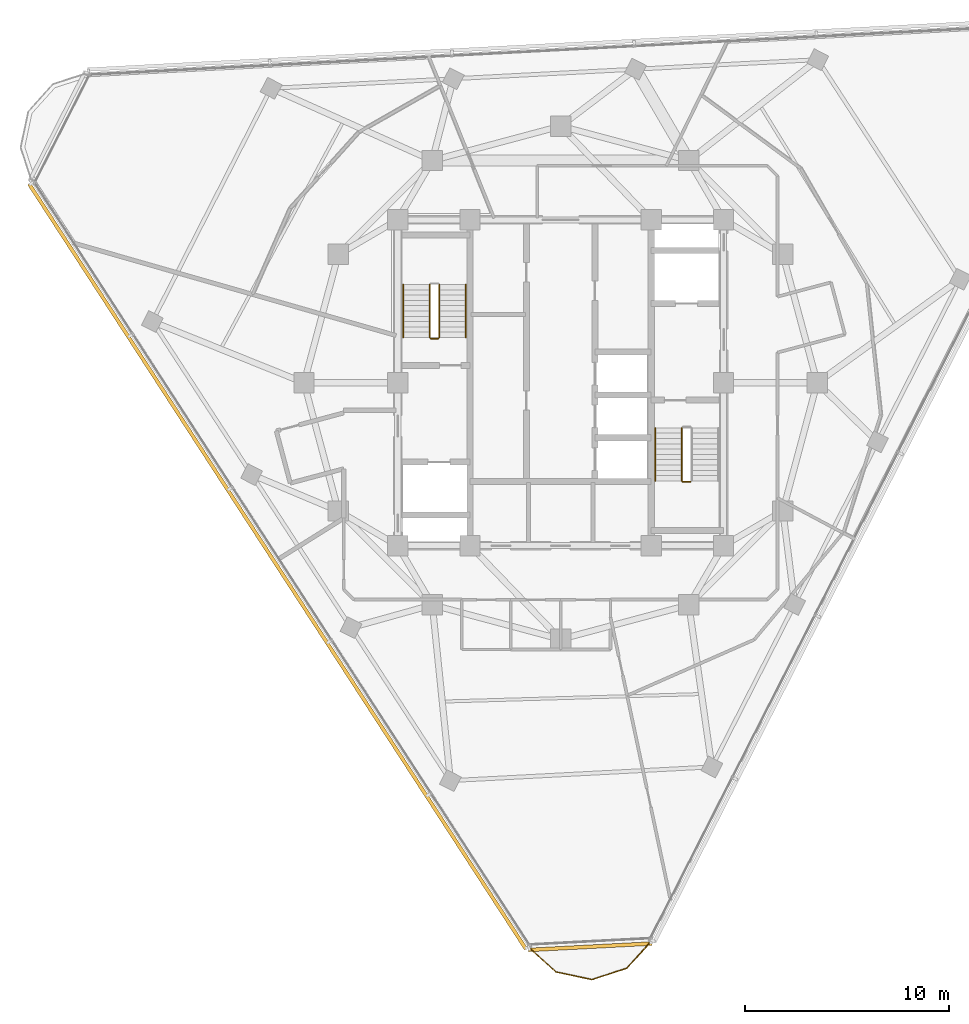
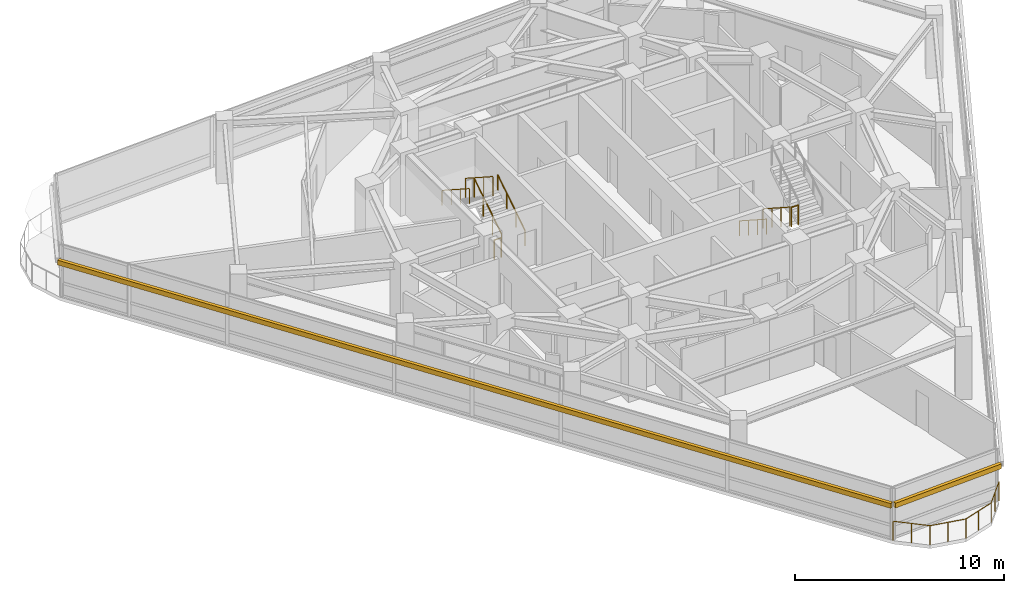
# One storey, part 12 of 15: 9 railings, 2 shading devices.
"""IFC4 building model written with IfcOpenShell, lengths in metres."""

from ifc_helpers import new_model, si_unit, direction, frame, origin, origin_2d, place, context, subcontext, project, spatial, rectangle, circle, extrude, material, layer, layer_set, type_object, element, save


model = new_model("IFC4")

# Units and contexts
model_context = context("Model", 3, precision=1e-05, world=origin(), true_north=direction((0.0, 1.0)))
body_context = subcontext(model_context, "Body", "Model", "MODEL_VIEW")
ifc_project = project(units=[si_unit("LENGTHUNIT", "METRE"), si_unit("AREAUNIT", "SQUARE_METRE"), si_unit("VOLUMEUNIT", "CUBIC_METRE"), si_unit("PLANEANGLEUNIT", "RADIAN"), si_unit("MASSUNIT", "GRAM", prefix="KILO")], contexts=[model_context])

# Site, building, storey
site_placement = place(None, origin())
site = spatial("IfcSite", under=ifc_project, at=site_placement, CompositionType="ELEMENT")
building_placement = place(site_placement, origin())
building = spatial("IfcBuilding", under=site, at=building_placement, Name="Terralouvre Media Tower", CompositionType="ELEMENT")
storey_placement = place(building_placement, frame((0.0, 0.0, 267.0)))
storey = spatial("IfcBuildingStorey", under=building, at=storey_placement, Name="L69", CompositionType="ELEMENT", Elevation=267.0)

# Railings
ifc_material_1 = material(Name="Stainless steel 316 handrail and balustrade", Category="steel")
ifc_layer_1 = layer(ifc_material_1, 0.06005859375, Name="Roof Edge Safety Guardrail GR-ROOF1")
ifc_layer_set_1 = layer_set([ifc_layer_1], Name="Stainless steel 316 handrail and balustrade")
railing_type_1 = type_object("IfcRailingType", Name="Roof Edge Safety Guardrail GR-ROOF1", PredefinedType="GUARDRAIL", material=ifc_layer_set_1)
railing_1_placement = place(storey_placement, frame((-1.580810546875, -27.72119140625, 0.0)))
element("IfcRailing", 1, at=railing_1_placement, inside=storey, type_object=railing_type_1, Name="L69 Wind-Corner Perimeter Safety Guardrail C0", PredefinedType="GUARDRAIL", context=body_context, shape_type="SweptSolid", body=[
    extrude(circle(Radius=0.02099609375, at=origin_2d()), frame((0.0, 0.0, 1.12890625), z_axis=(0.743012566317, -0.66927746585, 0.0), x_axis=(0.66927746585, 0.743012566317, 0.0)), (0.0, 0.0, 1.0), 1.81103515625),
    extrude(circle(Radius=0.02099609375, at=origin_2d()), frame((1.345703125, -1.212158203125, 1.12890625), z_axis=(0.978122858597, -0.208028059382, 0.0), x_axis=(0.208028059382, 0.978122858597, 0.0)), (0.0, 0.0, 1.0), 1.810791015625),
    extrude(circle(Radius=0.02099609375, at=origin_2d()), frame((3.116943359375, -1.5888671875, 1.12890625), z_axis=(0.951016233487, 0.309140944625, 0.0), x_axis=(-0.309140944625, 0.951016233487, 0.0)), (0.0, 0.0, 1.0), 1.810791015625),
    extrude(circle(Radius=0.02099609375, at=origin_2d()), frame((4.839111328125, -1.029052734375, 1.12890625), z_axis=(0.668920042495, 0.74333436403, 0.0), x_axis=(-0.74333436403, 0.668920042495, 0.0)), (0.0, 0.0, 1.0), 1.81103515625),
    extrude(circle(Radius=0.01904296875, at=origin_2d()), origin(), (0.0, 0.0, 1.0), 1.10791015625),
    extrude(circle(Radius=0.01904296875, at=origin_2d()), frame((0.6728515625, -0.60595703125, 0.0)), (0.0, 0.0, 1.0), 1.10791015625),
    extrude(circle(Radius=0.01904296875, at=origin_2d()), frame((1.345703125, -1.212158203125, 0.0)), (0.0, 0.0, 1.0), 1.10791015625),
    extrude(circle(Radius=0.01904296875, at=origin_2d()), frame((2.2314453125, -1.400390625, 0.0)), (0.0, 0.0, 1.0), 1.10791015625),
    extrude(circle(Radius=0.01904296875, at=origin_2d()), frame((3.116943359375, -1.5888671875, 0.0)), (0.0, 0.0, 1.0), 1.10791015625),
    extrude(circle(Radius=0.01904296875, at=origin_2d()), frame((3.97802734375, -1.30908203125, 0.0)), (0.0, 0.0, 1.0), 1.10791015625),
    extrude(circle(Radius=0.01904296875, at=origin_2d()), frame((4.839111328125, -1.029052734375, 0.0)), (0.0, 0.0, 1.0), 1.10791015625),
    extrude(circle(Radius=0.01904296875, at=origin_2d()), frame((5.44482421875, -0.35595703125, 0.0)), (0.0, 0.0, 1.0), 1.10791015625),
    extrude(circle(Radius=0.01904296875, at=origin_2d()), frame((6.050537109375, 0.317138671875, 0.0)), (0.0, 0.0, 1.0), 1.10791015625),
])
ifc_material_2 = material(Name="Stainless steel 316 handrail and balustrade", Category="steel")
ifc_layer_2 = layer(ifc_material_2, 0.050048828125, Name="Stair Flight Wall Handrail HR-INT1")
ifc_layer_set_2 = layer_set([ifc_layer_2], Name="Stainless steel 316 handrail and balustrade")
railing_type_2 = type_object("IfcRailingType", Name="Stair Flight Wall Handrail HR-INT1", PredefinedType="HANDRAIL", material=ifc_layer_set_2)
railing_2_placement = place(storey_placement, frame((-4.64990234375, 2.219970703125, 0.168212890625)))
element("IfcRailing", 2, at=railing_2_placement, inside=storey, type_object=railing_type_2, Name="L69 ST-01 stair handrail 1", PredefinedType="HANDRAIL", context=body_context, shape_type="SweptSolid", body=[
    extrude(circle(Radius=0.02392578125, at=origin_2d()), frame((0.0, 0.0, 0.8759765625), z_axis=(0.0, 0.839648411786, 0.543130320075), x_axis=(-1.0, 0.0, 0.0)), (0.0, 0.0, 1.0), 3.0966796875),
    extrude(circle(Radius=0.02099609375, at=origin_2d()), origin(), (0.0, 0.0, 1.0), 0.851806640625),
    extrude(circle(Radius=0.02099609375, at=origin_2d()), frame((0.0, 0.86669921875, 0.560546875)), (0.0, 0.0, 1.0), 0.851806640625),
    extrude(circle(Radius=0.02099609375, at=origin_2d()), frame((0.0, 1.7333984375, 1.121337890625)), (0.0, 0.0, 1.0), 0.851806640625),
    extrude(circle(Radius=0.02099609375, at=origin_2d()), frame((0.0, 2.60009765625, 1.681884765625)), (0.0, 0.0, 1.0), 0.851806640625),
])
for number, where, name in (
    (3, (-7.72998046875, 4.820068359375, 2.01806640625), "L69 ST-01 stair handrail 2"),
    (4, (4.64990234375, -2.219970703125, 0.168212890625), "L69 ST-02 stair handrail 1"),
):
    element("IfcRailing", number, at=place(storey_placement, frame(where)), inside=storey, type_object=railing_type_2, Name=name, PredefinedType="HANDRAIL", context=body_context, shape_type="SweptSolid", body=[
        extrude(circle(Radius=0.02392578125, at=origin_2d()), frame((0.0, 0.0, 0.8759765625), z_axis=(0.0, -0.839648411786, 0.543130320075), x_axis=(1.0, 0.0, 0.0)), (0.0, 0.0, 1.0), 3.0966796875),
        extrude(circle(Radius=0.02099609375, at=origin_2d()), origin(), (0.0, 0.0, 1.0), 0.851806640625),
        extrude(circle(Radius=0.02099609375, at=origin_2d()), frame((0.0, -0.86669921875, 0.560546875)), (0.0, 0.0, 1.0), 0.851806640625),
        extrude(circle(Radius=0.02099609375, at=origin_2d()), frame((0.0, -1.7333984375, 1.121337890625)), (0.0, 0.0, 1.0), 0.851806640625),
        extrude(circle(Radius=0.02099609375, at=origin_2d()), frame((0.0, -2.60009765625, 1.681884765625)), (0.0, 0.0, 1.0), 0.851806640625),
    ])
ifc_material_3 = material(Name="Stainless steel 316 handrail and balustrade", Category="steel")
ifc_layer_3 = layer(ifc_material_3, 0.050048828125, Name="Stairwell Safety Guardrail GR-INT1")
ifc_layer_set_3 = layer_set([ifc_layer_3], Name="Stainless steel 316 handrail and balustrade")
railing_type_3 = type_object("IfcRailingType", Name="Stairwell Safety Guardrail GR-INT1", PredefinedType="GUARDRAIL", material=ifc_layer_set_3)
railing_3_placement = place(storey_placement, frame((-5.949951171875, 2.219970703125, 0.168212890625)))
element("IfcRailing", 5, at=railing_3_placement, inside=storey, type_object=railing_type_3, Name="L69 ST-01 stair guard 1", PredefinedType="GUARDRAIL", context=body_context, shape_type="SweptSolid", body=[
    extrude(circle(Radius=0.02392578125, at=origin_2d()), frame((0.0, 0.0, 1.1259765625), z_axis=(0.0, 0.839648411786, 0.543130320075), x_axis=(-1.0, 0.0, 0.0)), (0.0, 0.0, 1.0), 3.0966796875),
    extrude(circle(Radius=0.02099609375, at=origin_2d()), origin(), (0.0, 0.0, 1.0), 1.101806640625),
    extrude(circle(Radius=0.02099609375, at=origin_2d()), frame((0.0, 0.86669921875, 0.560546875)), (0.0, 0.0, 1.0), 1.101806640625),
    extrude(circle(Radius=0.02099609375, at=origin_2d()), frame((0.0, 1.7333984375, 1.121337890625)), (0.0, 0.0, 1.0), 1.101806640625),
    extrude(circle(Radius=0.02099609375, at=origin_2d()), frame((0.0, 2.60009765625, 1.681884765625)), (0.0, 0.0, 1.0), 1.101806640625),
])
railing_4_placement = place(storey_placement, frame((-6.429931640625, 4.820068359375, 2.01806640625)))
element("IfcRailing", 6, at=railing_4_placement, inside=storey, type_object=railing_type_3, Name="L69 ST-01 stair guard 3", PredefinedType="GUARDRAIL", context=body_context, shape_type="SweptSolid", body=[
    extrude(circle(Radius=0.02392578125, at=origin_2d()), frame((0.0, 0.0, 1.1259765625), z_axis=(0.0, -0.839648411786, 0.543130320075), x_axis=(1.0, 0.0, 0.0)), (0.0, 0.0, 1.0), 3.0966796875),
    extrude(circle(Radius=0.02099609375, at=origin_2d()), origin(), (0.0, 0.0, 1.0), 1.101806640625),
    extrude(circle(Radius=0.02099609375, at=origin_2d()), frame((0.0, -0.86669921875, 0.560546875)), (0.0, 0.0, 1.0), 1.101806640625),
    extrude(circle(Radius=0.02099609375, at=origin_2d()), frame((0.0, -1.7333984375, 1.121337890625)), (0.0, 0.0, 1.0), 1.101806640625),
    extrude(circle(Radius=0.02099609375, at=origin_2d()), frame((0.0, -2.60009765625, 1.681884765625)), (0.0, 0.0, 1.0), 1.101806640625),
])
railing_5_placement = place(storey_placement, frame((-6.0, 2.169921875, 0.0)))
element("IfcRailing", 7, at=railing_5_placement, inside=storey, type_object=railing_type_3, Name="L69 ST-01 stair guard 4", PredefinedType="GUARDRAIL", context=body_context, shape_type="SweptSolid", body=[
    extrude(circle(Radius=0.02392578125, at=origin_2d()), frame((0.0, 0.0, 1.1259765625), z_axis=(-1.0, 0.0, 0.0), x_axis=(0.0, -1.0, 0.0)), (0.0, 0.0, 1.0), 0.3798828125),
    extrude(circle(Radius=0.02099609375, at=origin_2d()), origin(), (0.0, 0.0, 1.0), 1.101806640625),
    extrude(circle(Radius=0.02099609375, at=origin_2d()), frame((-0.3798828125, 0.0, 0.0)), (0.0, 0.0, 1.0), 1.101806640625),
])
railing_6_placement = place(storey_placement, frame((5.949951171875, -2.219970703125, 0.168212890625)))
element("IfcRailing", 8, at=railing_6_placement, inside=storey, type_object=railing_type_3, Name="L69 ST-02 stair guard 1", PredefinedType="GUARDRAIL", context=body_context, shape_type="SweptSolid", body=[
    extrude(circle(Radius=0.02392578125, at=origin_2d()), frame((0.0, 0.0, 1.1259765625), z_axis=(0.0, -0.839648411786, 0.543130320075), x_axis=(1.0, 0.0, 0.0)), (0.0, 0.0, 1.0), 3.0966796875),
    extrude(circle(Radius=0.02099609375, at=origin_2d()), origin(), (0.0, 0.0, 1.0), 1.101806640625),
    extrude(circle(Radius=0.02099609375, at=origin_2d()), frame((0.0, -0.86669921875, 0.560546875)), (0.0, 0.0, 1.0), 1.101806640625),
    extrude(circle(Radius=0.02099609375, at=origin_2d()), frame((0.0, -1.7333984375, 1.121337890625)), (0.0, 0.0, 1.0), 1.101806640625),
    extrude(circle(Radius=0.02099609375, at=origin_2d()), frame((0.0, -2.60009765625, 1.681884765625)), (0.0, 0.0, 1.0), 1.101806640625),
])
railing_7_placement = place(storey_placement, frame((6.0, -4.8701171875, 1.85009765625)))
element("IfcRailing", 9, at=railing_7_placement, inside=storey, type_object=railing_type_3, Name="L69 ST-02 stair guard 2", PredefinedType="GUARDRAIL", context=body_context, shape_type="SweptSolid", body=[
    extrude(circle(Radius=0.02392578125, at=origin_2d()), frame((0.0, 0.0, 1.1259765625), z_axis=(1.0, 0.0, 0.0), x_axis=(0.0, 1.0, 0.0)), (0.0, 0.0, 1.0), 0.3798828125),
    extrude(circle(Radius=0.02099609375, at=origin_2d()), origin(), (0.0, 0.0, 1.0), 1.101806640625),
    extrude(circle(Radius=0.02099609375, at=origin_2d()), frame((0.3798828125, 0.0, 0.0)), (0.0, 0.0, 1.0), 1.101806640625),
])

# Shading devices
ifc_material_4 = material(Name="Extruded terracotta baguette sunshade louvres", Category="masonry")
shading_device_type = type_object("IfcShadingDeviceType", Name="Terracotta Baguette Sunshade Louvre Screen TB-LV1", PredefinedType="USERDEFINED", material=ifc_material_4)
shading_device_1_placement = place(storey_placement, frame((-13.89892578125, -9.026123046875, 2.02392578125), z_axis=(0.0, 0.0, 1.0), x_axis=(0.544639069077, -0.838670545826, 0.0)))
element("IfcShadingDevice", 10, at=shading_device_1_placement, inside=storey, type_object=shading_device_type, Name="CW-L69-F2 Terracotta Baguette Sunshade Louvre", ObjectType="BAGUETTE", PredefinedType="USERDEFINED", context=body_context, shape_type="SweptSolid", body=[
    extrude(rectangle(XDim=44.800048828125, YDim=0.179931640625, at=origin_2d()), origin(), (0.0, 0.0, 1.0), 0.280029296875),
])
shading_device_2_placement = place(storey_placement, frame((1.45166015625, -27.697265625, 2.02392578125), z_axis=(0.0, 0.0, 1.0), x_axis=(0.998629533744, 0.05233597552, 0.0)))
element("IfcShadingDevice", 11, at=shading_device_2_placement, inside=storey, type_object=shading_device_type, Name="CW-L69-C0 Terracotta Baguette Sunshade Louvre", ObjectType="BAGUETTE", PredefinedType="USERDEFINED", context=body_context, shape_type="SweptSolid", body=[
    extrude(rectangle(XDim=6.062255859375, YDim=0.179931640625, at=origin_2d()), origin(), (0.0, 0.0, 1.0), 0.280029296875),
])

save(model, "model.ifc")
